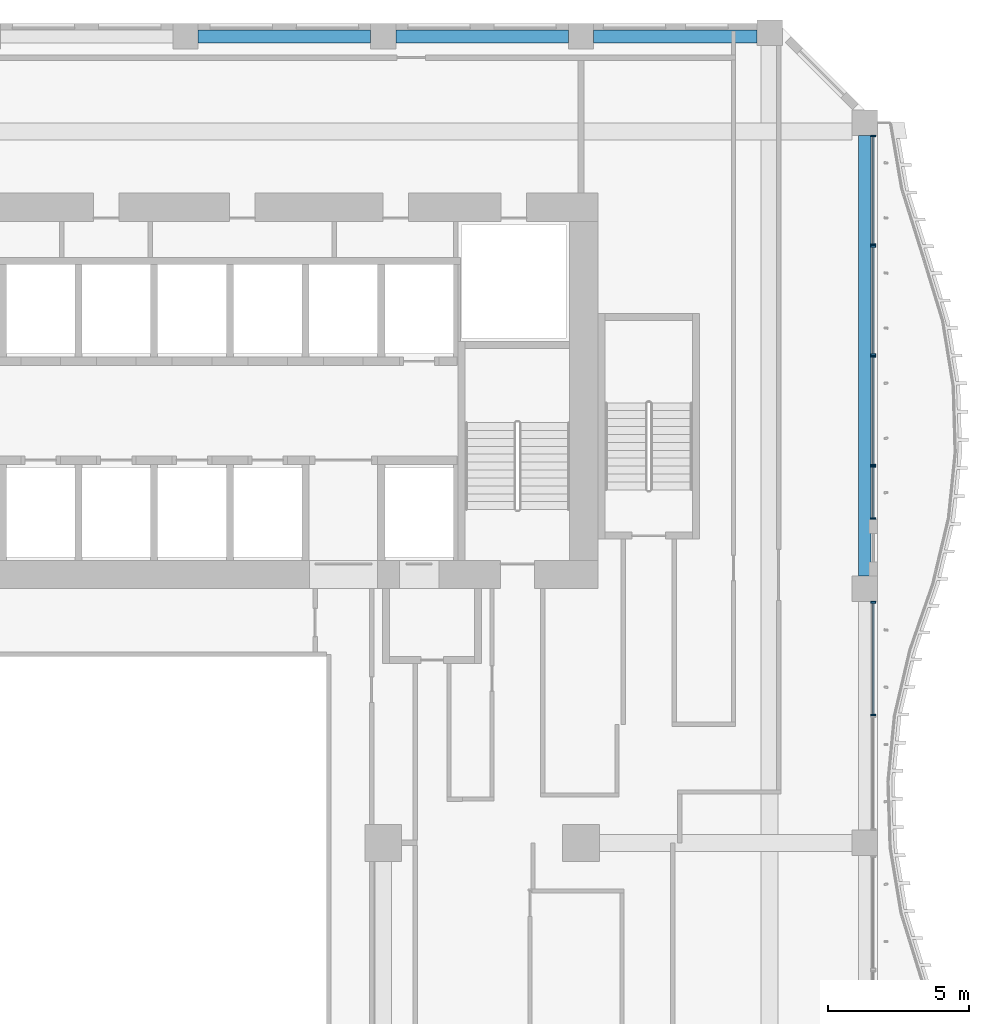
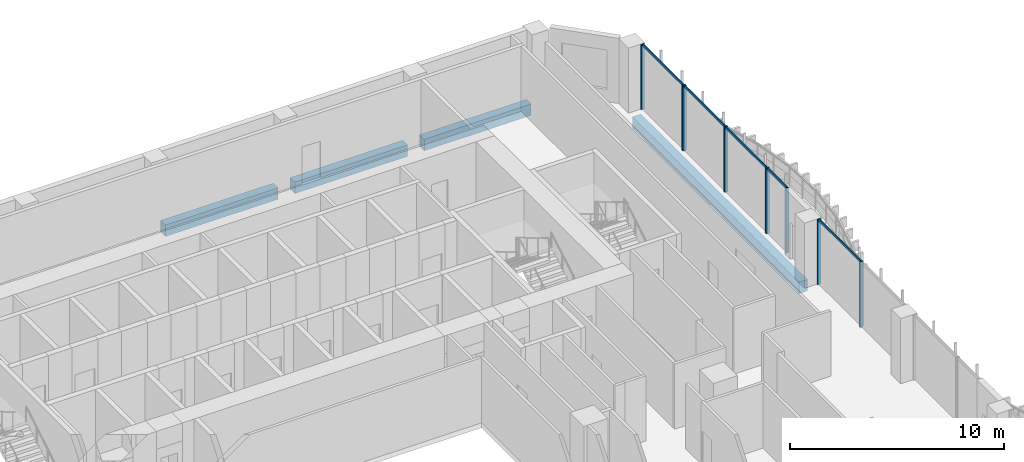
# One storey, part 8 of 25: 15 members, 4 beams, 5 elements without a shape of their own.
"""IFC4 building model written with IfcOpenShell, lengths in metres."""

from ifc_helpers import new_model, si_unit, direction, frame, origin, origin_2d, place, context, subcontext, project, spatial, rectangle, extrude, source, transform, mapped, material, material_profile, profile_set, type_object, element, aggregate, save


model = new_model("IFC4")

# Units and contexts
model_context = context("Model", 3, precision=1e-05, world=origin(), true_north=direction((0.0, 1.0)))
body_context = subcontext(model_context, "Body", "Model", "MODEL_VIEW")
ifc_project = project(units=[si_unit("LENGTHUNIT", "METRE"), si_unit("AREAUNIT", "SQUARE_METRE"), si_unit("VOLUMEUNIT", "CUBIC_METRE"), si_unit("PLANEANGLEUNIT", "RADIAN"), si_unit("MASSUNIT", "GRAM", prefix="KILO")], contexts=[model_context])

# Site, building, storey
site_placement = place(None, origin())
site = spatial("IfcSite", under=ifc_project, at=site_placement, CompositionType="ELEMENT")
building_placement = place(site_placement, origin())
building = spatial("IfcBuilding", under=site, at=building_placement, Name="Kilnfold Tower and Market Hall", CompositionType="ELEMENT")
storey_placement = place(building_placement, frame((0.0, 0.0, 39.0)))
storey = spatial("IfcBuildingStorey", under=building, at=storey_placement, Name="L08", CompositionType="ELEMENT", Elevation=39.0)

# Beams
ifc_material_1 = material(Name="Concrete C45", Category="concrete")
ifc_material_profile_1 = material_profile(ifc_material_1, rectangle(XDim=0.449951171875, YDim=0.64990234375, at=origin_2d()), Name="RC 450x650")
ifc_profile_set_1 = profile_set([ifc_material_profile_1], Name="Concrete C45")
beam_type = type_object("IfcBeamType", Name="EDGE BEAM 450X650 C45", PredefinedType="BEAM", material=ifc_profile_set_1)
shared_shape_1 = source(origin(), body_context, "Body", "SweptSolid", [
    extrude(rectangle(XDim=0.449951171875, YDim=0.64990234375, at=origin_2d()), origin(), (0.0, 0.0, 1.0), 6.10009765625),
])
for number, where, z_axis, x_axis, name in (
    (1, (3.949951171875, 27.550048828125, -0.60498046875), (1.0, 0.0, 0.0), (0.0, 1.0, 0.0), "Beam EB650-B1.27"),
    (2, (10.949951171875, 27.550048828125, -0.60498046875), (1.0, 0.0, 0.0), (0.0, 1.0, 0.0), "Beam EB650-B1.28"),
):
    element("IfcBeam", number, at=place(storey_placement, frame(where, z_axis=z_axis, x_axis=x_axis)), inside=storey, type_object=beam_type, Name=name, PredefinedType="BEAM", context=body_context, shape_type="MappedRepresentation", body=[
        mapped(shared_shape_1, transform((0.0, 0.0, 0.0))),
    ])
shared_shape_2 = source(origin(), body_context, "Body", "SweptSolid", [
    extrude(rectangle(XDim=0.449951171875, YDim=0.64990234375, at=origin_2d()), origin(), (0.0, 0.0, 1.0), 5.78173828125),
])
beam_1_placement = place(storey_placement, frame((17.949951171875, 27.550048828125, -0.60498046875), z_axis=(1.0, 0.0, 0.0), x_axis=(0.0, 1.0, 0.0)))
element("IfcBeam", 3, at=beam_1_placement, inside=storey, type_object=beam_type, Name="Beam EB650-B1.29", PredefinedType="BEAM", context=body_context, shape_type="MappedRepresentation", body=[
    mapped(shared_shape_2, transform((0.0, 0.0, 0.0))),
])
shared_shape_3 = source(origin(), body_context, "Body", "SweptSolid", [
    extrude(rectangle(XDim=0.449951171875, YDim=0.64990234375, at=origin_2d()), origin(), (0.0, 0.0, 1.0), 15.60009765625),
])
beam_2_placement = place(storey_placement, frame((27.550048828125, 8.449951171875, -0.60498046875), z_axis=(0.0, 1.0, 0.0), x_axis=(-1.0, 0.0, 0.0)))
element("IfcBeam", 4, at=beam_2_placement, inside=storey, type_object=beam_type, Name="Beam EB650-B1.59", PredefinedType="BEAM", context=body_context, shape_type="MappedRepresentation", body=[
    mapped(shared_shape_3, transform((0.0, 0.0, 0.0))),
])

# Curtain wall, members
ifc_material_2 = material(Name="Aluminium and double glazing", Category="aluminium")
curtain_wall_type = type_object("IfcCurtainWallType", Name="CW OF1 VALLEY GLAZING", PredefinedType="NOTDEFINED", material=ifc_material_2)
curtain_wall_1_placement = place(storey_placement, origin())
curtain_wall_1 = element("IfcCurtainWall", 5, at=curtain_wall_1_placement, inside=storey, type_object=curtain_wall_type, Name="Curtain wall CW1 L08 E", PredefinedType="NOTDEFINED")
ifc_material_3 = material(Name="Aluminium", Category="aluminium")
ifc_material_profile_2 = material_profile(ifc_material_3, rectangle(XDim=0.06005859375, YDim=0.179931640625, at=origin_2d()), Name="MULLION 60x180")
ifc_profile_set_2 = profile_set([ifc_material_profile_2], Name="Aluminium")
member_type_1 = type_object("IfcMemberType", Name="MULLION 60X180", PredefinedType="MULLION", material=ifc_profile_set_2)
shared_shape_4 = source(origin(), body_context, "Body", "SweptSolid", [
    extrude(rectangle(XDim=0.06005859375, YDim=0.179931640625, at=origin_2d()), origin(), (0.0, 0.0, 1.0), 3.719970703125),
])
member_1_placement = place(storey_placement, frame((27.85009765625, 3.530029296875, 0.0), z_axis=(0.0, 0.0, 1.0), x_axis=(0.0, 1.0, 0.0)))
member_1 = element("IfcMember", 6, at=member_1_placement, type_object=member_type_1, Name="CW1 mullion 1", PredefinedType="MULLION", context=body_context, shape_type="MappedRepresentation", body=[
    mapped(shared_shape_4, transform((0.0, 0.0, 0.0))),
])
member_2_placement = place(storey_placement, frame((27.85009765625, 7.52001953125, 0.0), z_axis=(0.0, 0.0, 1.0), x_axis=(0.0, 1.0, 0.0)))
member_2 = element("IfcMember", 7, at=member_2_placement, type_object=member_type_1, Name="CW1 mullion 2", PredefinedType="MULLION", context=body_context, shape_type="MappedRepresentation", body=[
    mapped(shared_shape_4, transform((0.0, 0.0, 0.0))),
])

curtain_wall_2_placement = place(storey_placement, origin())
curtain_wall_2 = element("IfcCurtainWall", 8, at=curtain_wall_2_placement, inside=storey, type_object=curtain_wall_type, Name="Curtain wall CW1 L08 E", PredefinedType="NOTDEFINED")
member_3_placement = place(storey_placement, frame((27.85009765625, 10.47998046875, 0.0), z_axis=(0.0, 0.0, 1.0), x_axis=(0.0, 1.0, 0.0)))
member_3 = element("IfcMember", 9, at=member_3_placement, type_object=member_type_1, Name="CW1 mullion 1", PredefinedType="MULLION", context=body_context, shape_type="MappedRepresentation", body=[
    mapped(shared_shape_4, transform((0.0, 0.0, 0.0))),
])
member_4_placement = place(storey_placement, frame((27.85009765625, 12.320068359375, 0.0), z_axis=(0.0, 0.0, 1.0), x_axis=(0.0, 1.0, 0.0)))
member_4 = element("IfcMember", 10, at=member_4_placement, type_object=member_type_1, Name="CW1 mullion 2", PredefinedType="MULLION", context=body_context, shape_type="MappedRepresentation", body=[
    mapped(shared_shape_4, transform((0.0, 0.0, 0.0))),
])

curtain_wall_3_placement = place(storey_placement, origin())
curtain_wall_3 = element("IfcCurtainWall", 11, at=curtain_wall_3_placement, inside=storey, type_object=curtain_wall_type, Name="Curtain wall CW1 L08 E", PredefinedType="NOTDEFINED")
member_5_placement = place(storey_placement, frame((27.85009765625, 12.3798828125, 0.0), z_axis=(0.0, 0.0, 1.0), x_axis=(0.0, 1.0, 0.0)))
member_5 = element("IfcMember", 12, at=member_5_placement, type_object=member_type_1, Name="CW1 mullion 1", PredefinedType="MULLION", context=body_context, shape_type="MappedRepresentation", body=[
    mapped(shared_shape_4, transform((0.0, 0.0, 0.0))),
])
member_6_placement = place(storey_placement, frame((27.85009765625, 16.219970703125, 0.0), z_axis=(0.0, 0.0, 1.0), x_axis=(0.0, 1.0, 0.0)))
member_6 = element("IfcMember", 13, at=member_6_placement, type_object=member_type_1, Name="CW1 mullion 2", PredefinedType="MULLION", context=body_context, shape_type="MappedRepresentation", body=[
    mapped(shared_shape_4, transform((0.0, 0.0, 0.0))),
])

curtain_wall_4_placement = place(storey_placement, origin())
curtain_wall_4 = element("IfcCurtainWall", 14, at=curtain_wall_4_placement, inside=storey, type_object=curtain_wall_type, Name="Curtain wall CW1 L08 E", PredefinedType="NOTDEFINED")
member_7_placement = place(storey_placement, frame((27.85009765625, 16.280029296875, 0.0), z_axis=(0.0, 0.0, 1.0), x_axis=(0.0, 1.0, 0.0)))
member_7 = element("IfcMember", 15, at=member_7_placement, type_object=member_type_1, Name="CW1 mullion 1", PredefinedType="MULLION", context=body_context, shape_type="MappedRepresentation", body=[
    mapped(shared_shape_4, transform((0.0, 0.0, 0.0))),
])
member_8_placement = place(storey_placement, frame((27.85009765625, 20.1201171875, 0.0), z_axis=(0.0, 0.0, 1.0), x_axis=(0.0, 1.0, 0.0)))
member_8 = element("IfcMember", 16, at=member_8_placement, type_object=member_type_1, Name="CW1 mullion 2", PredefinedType="MULLION", context=body_context, shape_type="MappedRepresentation", body=[
    mapped(shared_shape_4, transform((0.0, 0.0, 0.0))),
])

curtain_wall_5_placement = place(storey_placement, origin())
curtain_wall_5 = element("IfcCurtainWall", 17, at=curtain_wall_5_placement, inside=storey, type_object=curtain_wall_type, Name="Curtain wall CW1 L08 E", PredefinedType="NOTDEFINED")
member_9_placement = place(storey_placement, frame((27.85009765625, 20.179931640625, 0.0), z_axis=(0.0, 0.0, 1.0), x_axis=(0.0, 1.0, 0.0)))
member_9 = element("IfcMember", 18, at=member_9_placement, type_object=member_type_1, Name="CW1 mullion 1", PredefinedType="MULLION", context=body_context, shape_type="MappedRepresentation", body=[
    mapped(shared_shape_4, transform((0.0, 0.0, 0.0))),
])
member_10_placement = place(storey_placement, frame((27.85009765625, 24.02001953125, 0.0), z_axis=(0.0, 0.0, 1.0), x_axis=(0.0, 1.0, 0.0)))
member_10 = element("IfcMember", 19, at=member_10_placement, type_object=member_type_1, Name="CW1 mullion 2", PredefinedType="MULLION", context=body_context, shape_type="MappedRepresentation", body=[
    mapped(shared_shape_4, transform((0.0, 0.0, 0.0))),
])

# Member
ifc_material_4 = material(Name="Aluminium", Category="aluminium")
ifc_material_profile_3 = material_profile(ifc_material_4, rectangle(XDim=0.06005859375, YDim=0.139892578125, at=origin_2d()), Name="TRANSOM 60x140")
ifc_profile_set_3 = profile_set([ifc_material_profile_3], Name="Aluminium")
member_type_2 = type_object("IfcMemberType", Name="TRANSOM 60X140", PredefinedType="USERDEFINED", material=ifc_profile_set_3)
shared_shape_5 = source(origin(), body_context, "Body", "SweptSolid", [
    extrude(rectangle(XDim=0.06005859375, YDim=0.139892578125, at=origin_2d()), origin(), (0.0, 0.0, 1.0), 3.929931640625),
])
member_11_placement = place(storey_placement, frame((27.85009765625, 3.56005859375, 3.68994140625), z_axis=(0.0, 1.0, 0.0), x_axis=(-1.0, 0.0, 0.0)))
member_11 = element("IfcMember", 20, at=member_11_placement, type_object=member_type_2, Name="CW1 transom 1.2", ObjectType="TRANSOM", PredefinedType="USERDEFINED", context=body_context, shape_type="MappedRepresentation", body=[
    mapped(shared_shape_5, transform((0.0, 0.0, 0.0))),
])

aggregate(curtain_wall_1, [member_1, member_2, member_11])

shared_shape_6 = source(origin(), body_context, "Body", "SweptSolid", [
    extrude(rectangle(XDim=0.06005859375, YDim=0.139892578125, at=origin_2d()), origin(), (0.0, 0.0, 1.0), 3.780029296875),
])
member_12_placement = place(storey_placement, frame((27.85009765625, 12.409912109375, 3.68994140625), z_axis=(0.0, 1.0, 0.0), x_axis=(-1.0, 0.0, 0.0)))
member_12 = element("IfcMember", 21, at=member_12_placement, type_object=member_type_2, Name="CW1 transom 1.2", ObjectType="TRANSOM", PredefinedType="USERDEFINED", context=body_context, shape_type="MappedRepresentation", body=[
    mapped(shared_shape_6, transform((0.0, 0.0, 0.0))),
])

aggregate(curtain_wall_3, [member_5, member_6, member_12])

member_13_placement = place(storey_placement, frame((27.85009765625, 16.31005859375, 3.68994140625), z_axis=(0.0, 1.0, 0.0), x_axis=(-1.0, 0.0, 0.0)))
member_13 = element("IfcMember", 22, at=member_13_placement, type_object=member_type_2, Name="CW1 transom 1.2", ObjectType="TRANSOM", PredefinedType="USERDEFINED", context=body_context, shape_type="MappedRepresentation", body=[
    mapped(shared_shape_6, transform((0.0, 0.0, 0.0))),
])

aggregate(curtain_wall_4, [member_7, member_8, member_13])

member_14_placement = place(storey_placement, frame((27.85009765625, 20.2099609375, 3.68994140625), z_axis=(0.0, 1.0, 0.0), x_axis=(-1.0, 0.0, 0.0)))
member_14 = element("IfcMember", 23, at=member_14_placement, type_object=member_type_2, Name="CW1 transom 1.2", ObjectType="TRANSOM", PredefinedType="USERDEFINED", context=body_context, shape_type="MappedRepresentation", body=[
    mapped(shared_shape_6, transform((0.0, 0.0, 0.0))),
])

aggregate(curtain_wall_5, [member_9, member_10, member_14])

shared_shape_7 = source(origin(), body_context, "Body", "SweptSolid", [
    extrude(rectangle(XDim=0.06005859375, YDim=0.139892578125, at=origin_2d()), origin(), (0.0, 0.0, 1.0), 1.780029296875),
])
member_15_placement = place(storey_placement, frame((27.85009765625, 10.510009765625, 3.68994140625), z_axis=(0.0, 1.0, 0.0), x_axis=(-1.0, 0.0, 0.0)))
member_15 = element("IfcMember", 24, at=member_15_placement, type_object=member_type_2, Name="CW1 transom 1.2", ObjectType="TRANSOM", PredefinedType="USERDEFINED", context=body_context, shape_type="MappedRepresentation", body=[
    mapped(shared_shape_7, transform((0.0, 0.0, 0.0))),
])

aggregate(curtain_wall_2, [member_3, member_4, member_15])

save(model, "model.ifc")
